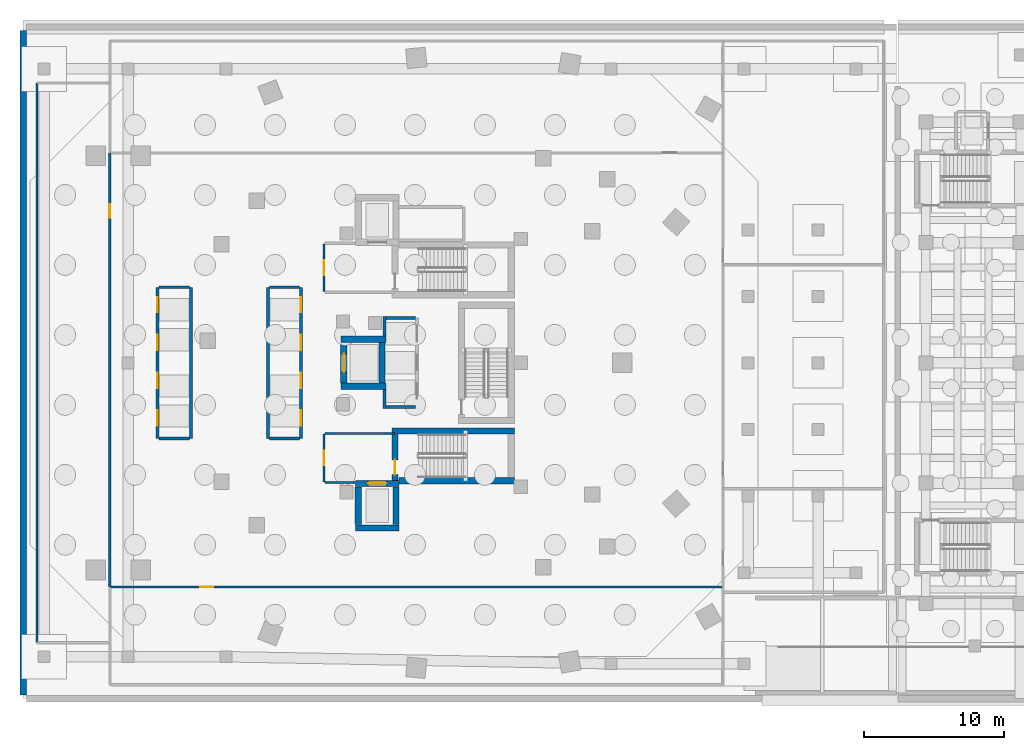
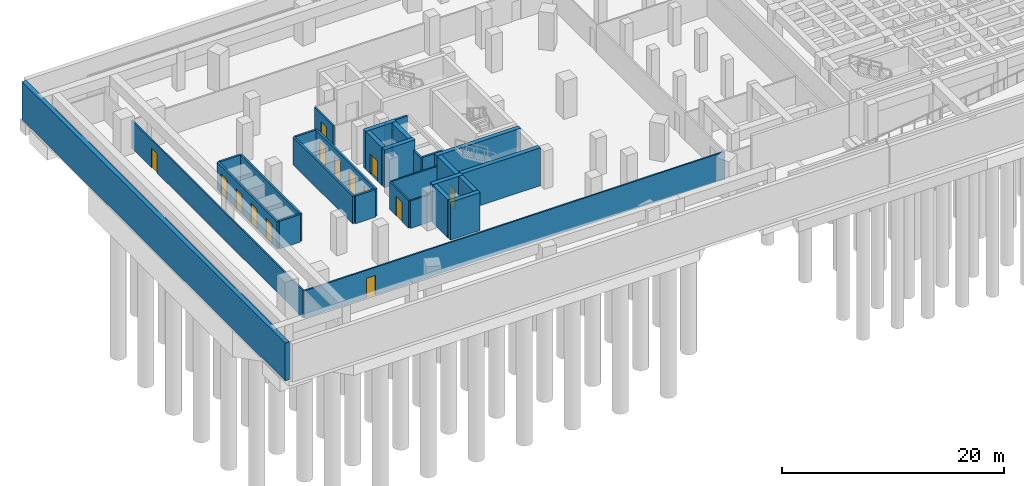
# One storey, part 8 of 15: 31 walls, 15 doors, 15 openings.
"""IFC4 building model written with IfcOpenShell, lengths in metres."""

from ifc_helpers import new_model, si_unit, direction, frame, frame_2d, origin, place, context, subcontext, project, spatial, rectangle, extrude, material, layer, layer_set, type_object, element, fill, save


model = new_model("IFC4")

# Units and contexts
model_context = context("Model", 3, precision=1e-05, world=origin(), true_north=direction((0.0, 1.0)))
body_context = subcontext(model_context, "Body", "Model", "MODEL_VIEW")
ifc_project = project(units=[si_unit("LENGTHUNIT", "METRE"), si_unit("AREAUNIT", "SQUARE_METRE"), si_unit("VOLUMEUNIT", "CUBIC_METRE"), si_unit("PLANEANGLEUNIT", "RADIAN"), si_unit("MASSUNIT", "GRAM", prefix="KILO")], contexts=[model_context])

# Site, building, storey
site_placement = place(None, origin())
site = spatial("IfcSite", under=ifc_project, at=site_placement, CompositionType="ELEMENT")
building_placement = place(site_placement, origin())
building = spatial("IfcBuilding", under=site, at=building_placement, Name="Korentha Bioscience Tower", CompositionType="ELEMENT")
storey_placement = place(building_placement, frame((0.0, 0.0, -9.0)))
storey = spatial("IfcBuildingStorey", under=building, at=storey_placement, Name="B2", CompositionType="ELEMENT", Elevation=-9.0)

# Wall, opening, door
ifc_material_1 = material(Name="Double-Stud Acoustic Gypsum", Category="gypsum")
ifc_layer_1 = layer(ifc_material_1, 0.14990234375, Name="Double-Stud Acoustic Gypsum")
ifc_layer_set_1 = layer_set([ifc_layer_1], Name="Double-Stud Acoustic Gypsum (IW-L150)")
wall_type_1 = type_object("IfcWallType", Name="Acoustic Laboratory Partition Wall 150", PredefinedType="PARTITIONING", material=ifc_layer_set_1)
wall_1_placement = place(storey_placement, frame((8.18994140625, 42.0, 0.0), z_axis=(0.0, 0.0, 1.0), x_axis=(0.0, -1.0, 0.0)))
wall_1 = element("IfcWall", 1, at=wall_1_placement, inside=storey, type_object=wall_type_1, Name="B2 B2 Electric Vehicle & Accessible Parking Aisle West Entrance Wall", PredefinedType="PARTITIONING", context=body_context, shape_type="SweptSolid", body=[
    extrude(rectangle(XDim=31.0, YDim=0.14990234375, at=frame_2d((15.5, 0.0))), origin(), (0.0, 0.0, 1.0), 3.0400390625),
])
opening_1_placement = place(wall_1_placement, frame((3.680908203125, 0.0, 0.0)))
opening_1 = element("IfcOpeningElement", 2, at=opening_1_placement, cuts=wall_1, Name="Opening ID-10L", PredefinedType="OPENING", context=body_context, shape_type="SweptSolid", body=[
    extrude(rectangle(XDim=0.949951171875, YDim=2.14990234375, at=frame_2d((0.47509765625, 1.074951171875))), frame((0.0, 0.08984375, 0.0), z_axis=(0.0, -1.0, 0.0), x_axis=(1.0, 0.0, 0.0)), (0.0, 0.0, 1.0), 0.1796875),
])
ifc_material_2 = material(Name="Phenolic Laminate Timber Core", Category="wood")
door_type_1 = type_object("IfcDoorType", Name="Laboratory Single Leaf Door 950x2150 Left", OperationType="SINGLE_SWING_LEFT", PredefinedType="DOOR", material=ifc_material_2)
door_1_placement = place(opening_1_placement, origin())
door_1 = element("IfcDoor", 3, at=door_1_placement, inside=storey, type_object=door_type_1, Name="B2 B2 Electric Vehicle & Accessible Parking Aisle West Door", OperationType="SINGLE_SWING_LEFT", OverallHeight=2.14990234375, OverallWidth=0.949951171875, PredefinedType="DOOR", context=body_context, shape_type="SweptSolid", body=[
    extrude(rectangle(XDim=0.949951171875, YDim=2.14990234375, at=frame_2d((0.47509765625, 1.074951171875))), frame((0.0, 0.02490234375, 0.0), z_axis=(0.0, -1.0, 0.0), x_axis=(1.0, 0.0, 0.0)), (0.0, 0.0, 1.0), 0.050048828125),
])
fill(opening_1, door_1)

wall_2_placement = place(storey_placement, frame((8.2099609375, 10.989990234375, 0.0), z_axis=(0.0, 0.0, 1.0), x_axis=(1.0, 0.0, 0.0)))
wall_2 = element("IfcWall", 4, at=wall_2_placement, inside=storey, type_object=wall_type_1, Name="B2 B2 Bioscience Fleet & Van Parking South Entrance Wall", PredefinedType="PARTITIONING", context=body_context, shape_type="SweptSolid", body=[
    extrude(rectangle(XDim=43.7900390625, YDim=0.14990234375, at=frame_2d((21.89501953125, 0.0))), origin(), (0.0, 0.0, 1.0), 3.0400390625),
])
opening_2_placement = place(wall_2_placement, frame((6.435302734375, 0.0, 0.0)))
opening_2 = element("IfcOpeningElement", 5, at=opening_2_placement, cuts=wall_2, Name="Opening ID-10L", PredefinedType="OPENING", context=body_context, shape_type="SweptSolid", body=[
    extrude(rectangle(XDim=0.949951171875, YDim=2.14990234375, at=frame_2d((0.47509765625, 1.074951171875))), frame((0.0, 0.08984375, 0.0), z_axis=(0.0, -1.0, 0.0), x_axis=(1.0, 0.0, 0.0)), (0.0, 0.0, 1.0), 0.1796875),
])
door_2_placement = place(opening_2_placement, origin())
door_2 = element("IfcDoor", 6, at=door_2_placement, inside=storey, type_object=door_type_1, Name="B2 B2 Bioscience Fleet & Van Parking South Door", OperationType="SINGLE_SWING_LEFT", OverallHeight=2.14990234375, OverallWidth=0.949951171875, PredefinedType="DOOR", context=body_context, shape_type="SweptSolid", body=[
    extrude(rectangle(XDim=0.949951171875, YDim=2.14990234375, at=frame_2d((0.47509765625, 1.074951171875))), frame((0.0, 0.02490234375, 0.0), z_axis=(0.0, -1.0, 0.0), x_axis=(1.0, 0.0, 0.0)), (0.0, 0.0, 1.0), 0.050048828125),
])
fill(opening_2, door_2)

# Walls
wall_3_placement = place(storey_placement, frame((3.0, 7.0, 0.0), z_axis=(0.0, 0.0, 1.0), x_axis=(0.0, 1.0, 0.0)))
element("IfcWall", 7, at=wall_3_placement, inside=storey, type_object=wall_type_1, Name="B2 Interior Partition 011", PredefinedType="PARTITIONING", context=body_context, shape_type="SweptSolid", body=[
    extrude(rectangle(XDim=40.0, YDim=0.14990234375, at=frame_2d((20.0, 0.0))), origin(), (0.0, 0.0, 1.0), 3.0400390625),
])
ifc_material_3 = material(Name="Concrete C50", Category="concrete")
ifc_layer_2 = layer(ifc_material_3, 0.449951171875, Name="Concrete C50")
ifc_layer_set_2 = layer_set([ifc_layer_2], Name="Concrete C50 (RW-01)")
wall_type_2 = type_object("IfcWallType", Name="Basement Perimeter Retaining Wall 450", PredefinedType="USERDEFINED", material=ifc_layer_set_2)
wall_4_placement = place(storey_placement, frame((2.0, 3.25, 0.0), z_axis=(0.0, 0.0, 1.0), x_axis=(0.0, 1.0, 0.0)))
element("IfcWall", 8, at=wall_4_placement, inside=storey, type_object=wall_type_2, Name="B2 Retaining Liner Wall W", ObjectType="RETAININGWALL", PredefinedType="USERDEFINED", context=body_context, shape_type="SweptSolid", body=[
    extrude(rectangle(XDim=47.5, YDim=0.449951171875, at=frame_2d((23.75, 0.0))), origin(), (0.0, 0.0, 1.0), 4.179931640625),
])

# Wall, opening, door
ifc_material_4 = material(Name="Gypsum-Clad Steel Stud", Category="steel")
ifc_layer_3 = layer(ifc_material_4, 0.159912109375, Name="Gypsum-Clad Steel Stud")
ifc_layer_set_3 = layer_set([ifc_layer_3], Name="Gypsum-Clad Steel Stud (IW-C160)")
wall_type_3 = type_object("IfcWallType", Name="Fire-Rated Corridor Partition Wall 160", PredefinedType="PARTITIONING", material=ifc_layer_set_3)
wall_5_placement = place(storey_placement, frame((23.5, 32.10009765625, 0.0), z_axis=(0.0, 0.0, 1.0), x_axis=(0.0, 1.0, 0.0)))
wall_5 = element("IfcWall", 9, at=wall_5_placement, inside=storey, type_object=wall_type_3, Name="B2 FFLN-CW Rated Enclosure Wall", PredefinedType="PARTITIONING", context=body_context, shape_type="SweptSolid", body=[
    extrude(rectangle(XDim=3.39990234375, YDim=0.159912109375, at=frame_2d((1.699951171875, 0.0))), origin(), (0.0, 0.0, 1.0), 3.0400390625),
])
opening_3_placement = place(wall_5_placement, frame((1.175048828125, 0.0, 0.0)))
opening_3 = element("IfcOpeningElement", 10, at=opening_3_placement, cuts=wall_5, Name="Opening FD-90L", PredefinedType="OPENING", context=body_context, shape_type="SweptSolid", body=[
    extrude(rectangle(XDim=1.050048828125, YDim=2.14990234375, at=frame_2d((0.52490234375, 1.074951171875))), frame((0.0, 0.0947265625, 0.0), z_axis=(0.0, -1.0, 0.0), x_axis=(1.0, 0.0, 0.0)), (0.0, 0.0, 1.0), 0.189697265625),
])
ifc_material_5 = material(Name="Powder-Coated Fire-Rated Steel", Category="steel")
door_type_2 = type_object("IfcDoorType", Name="Stairwell Fire Exit Door 1050x2150 Left", OperationType="SINGLE_SWING_LEFT", PredefinedType="DOOR", material=ifc_material_5)
door_3_placement = place(opening_3_placement, origin())
door_3 = element("IfcDoor", 11, at=door_3_placement, inside=storey, type_object=door_type_2, Name="B2 North Firefighting Lobby Door", OperationType="SINGLE_SWING_LEFT", OverallHeight=2.14990234375, OverallWidth=1.050048828125, PredefinedType="DOOR", context=body_context, shape_type="SweptSolid", body=[
    extrude(rectangle(XDim=1.050048828125, YDim=2.14990234375, at=frame_2d((0.52490234375, 1.074951171875))), frame((0.0, 0.02490234375, 0.0), z_axis=(0.0, -1.0, 0.0), x_axis=(1.0, 0.0, 0.0)), (0.0, 0.0, 1.0), 0.050048828125),
])
fill(opening_3, door_3)

wall_6_placement = place(storey_placement, frame((23.5, 18.5, 0.0), z_axis=(0.0, 0.0, 1.0), x_axis=(0.0, 1.0, 0.0)))
wall_6 = element("IfcWall", 12, at=wall_6_placement, inside=storey, type_object=wall_type_3, Name="B2 FFLS-CW Rated Enclosure Wall", PredefinedType="PARTITIONING", context=body_context, shape_type="SweptSolid", body=[
    extrude(rectangle(XDim=3.39990234375, YDim=0.159912109375, at=frame_2d((1.699951171875, 0.0))), origin(), (0.0, 0.0, 1.0), 3.0400390625),
])
opening_4_placement = place(wall_6_placement, frame((1.175048828125, 0.0, 0.0)))
opening_4 = element("IfcOpeningElement", 13, at=opening_4_placement, cuts=wall_6, Name="Opening FD-90L", PredefinedType="OPENING", context=body_context, shape_type="SweptSolid", body=[
    extrude(rectangle(XDim=1.050048828125, YDim=2.14990234375, at=frame_2d((0.52490234375, 1.074951171875))), frame((0.0, 0.0947265625, 0.0), z_axis=(0.0, -1.0, 0.0), x_axis=(1.0, 0.0, 0.0)), (0.0, 0.0, 1.0), 0.189697265625),
])
door_4_placement = place(opening_4_placement, origin())
door_4 = element("IfcDoor", 14, at=door_4_placement, inside=storey, type_object=door_type_2, Name="B2 South Firefighting Lobby Door", OperationType="SINGLE_SWING_LEFT", OverallHeight=2.14990234375, OverallWidth=1.050048828125, PredefinedType="DOOR", context=body_context, shape_type="SweptSolid", body=[
    extrude(rectangle(XDim=1.050048828125, YDim=2.14990234375, at=frame_2d((0.52490234375, 1.074951171875))), frame((0.0, 0.02490234375, 0.0), z_axis=(0.0, -1.0, 0.0), x_axis=(1.0, 0.0, 0.0)), (0.0, 0.0, 1.0), 0.050048828125),
])
fill(opening_4, door_4)

# Walls
wall_7_placement = place(storey_placement, frame((23.580078125, 21.949951171875, 0.0), z_axis=(0.0, 0.0, 1.0), x_axis=(1.0, 0.0, 0.0)))
element("IfcWall", 15, at=wall_7_placement, inside=storey, type_object=wall_type_3, Name="B2 Firefighting Lobby Return Wall FFLS-N", PredefinedType="PARTITIONING", context=body_context, shape_type="SweptSolid", body=[
    extrude(rectangle(XDim=4.969970703125, YDim=0.159912109375, at=frame_2d((2.48486328125, 0.0))), origin(), (0.0, 0.0, 1.0), 3.0400390625),
])
wall_8_placement = place(storey_placement, frame((23.580078125, 18.449951171875, 0.0), z_axis=(0.0, 0.0, 1.0), x_axis=(1.0, 0.0, 0.0)))
element("IfcWall", 16, at=wall_8_placement, inside=storey, type_object=wall_type_3, Name="B2 Firefighting Lobby Return Wall FFLS-S", PredefinedType="PARTITIONING", context=body_context, shape_type="SweptSolid", body=[
    extrude(rectangle(XDim=2.119873046875, YDim=0.159912109375, at=frame_2d((1.06005859375, 0.0))), origin(), (0.0, 0.0, 1.0), 3.0400390625),
])

# Wall, openings, doors
ifc_material_6 = material(Name="Autoclaved Aerated Concrete Block C25", Category="concrete")
ifc_layer_4 = layer(ifc_material_6, 0.199951171875, Name="Autoclaved Aerated Concrete Block C25")
ifc_layer_set_4 = layer_set([ifc_layer_4], Name="Autoclaved Aerated Concrete Block C25 (IW-S200)")
wall_type_4 = type_object("IfcWallType", Name="Lift and Riser Shaft Enclosure Wall 200", PredefinedType="PARTITIONING", material=ifc_layer_set_4)
wall_9_placement = place(storey_placement, frame((11.60009765625, 21.60009765625, 0.0), z_axis=(0.0, 0.0, 1.0), x_axis=(0.0, 1.0, 0.0)))
wall_9 = element("IfcWall", 17, at=wall_9_placement, inside=storey, type_object=wall_type_4, Name="B2 Lift Bank LOW Shaft Wall -X", PredefinedType="PARTITIONING", context=body_context, shape_type="SweptSolid", body=[
    extrude(rectangle(XDim=10.7998046875, YDim=0.199951171875, at=frame_2d((5.39990234375, 0.0))), origin(), (0.0, 0.0, 1.0), 3.0400390625),
])
opening_5_placement = place(wall_9_placement, frame((0.89990234375, 0.0, 0.0)))
opening_5 = element("IfcOpeningElement", 18, at=opening_5_placement, cuts=wall_9, Name="Opening LD-11", PredefinedType="OPENING", context=body_context, shape_type="SweptSolid", body=[
    extrude(rectangle(XDim=1.10009765625, YDim=2.199951171875, at=frame_2d((0.550048828125, 1.10009765625))), frame((0.0, 0.11474609375, 0.0), z_axis=(0.0, -1.0, 0.0), x_axis=(1.0, 0.0, 0.0)), (0.0, 0.0, 1.0), 0.229736328125),
])
opening_6_placement = place(wall_9_placement, frame((3.60009765625, 0.0, 0.0)))
opening_6 = element("IfcOpeningElement", 19, at=opening_6_placement, cuts=wall_9, Name="Opening LD-11", PredefinedType="OPENING", context=body_context, shape_type="SweptSolid", body=[
    extrude(rectangle(XDim=1.10009765625, YDim=2.199951171875, at=frame_2d((0.550048828125, 1.10009765625))), frame((0.0, 0.11474609375, 0.0), z_axis=(0.0, -1.0, 0.0), x_axis=(1.0, 0.0, 0.0)), (0.0, 0.0, 1.0), 0.229736328125),
])
opening_7_placement = place(wall_9_placement, frame((6.300048828125, 0.0, 0.0)))
opening_7 = element("IfcOpeningElement", 20, at=opening_7_placement, cuts=wall_9, Name="Opening LD-11", PredefinedType="OPENING", context=body_context, shape_type="SweptSolid", body=[
    extrude(rectangle(XDim=1.10009765625, YDim=2.199951171875, at=frame_2d((0.550048828125, 1.10009765625))), frame((0.0, 0.11474609375, 0.0), z_axis=(0.0, -1.0, 0.0), x_axis=(1.0, 0.0, 0.0)), (0.0, 0.0, 1.0), 0.229736328125),
])
opening_8_placement = place(wall_9_placement, frame((9.0, 0.0, 0.0)))
opening_8 = element("IfcOpeningElement", 21, at=opening_8_placement, cuts=wall_9, Name="Opening LD-11", PredefinedType="OPENING", context=body_context, shape_type="SweptSolid", body=[
    extrude(rectangle(XDim=1.10009765625, YDim=2.199951171875, at=frame_2d((0.550048828125, 1.10009765625))), frame((0.0, 0.11474609375, 0.0), z_axis=(0.0, -1.0, 0.0), x_axis=(1.0, 0.0, 0.0)), (0.0, 0.0, 1.0), 0.229736328125),
])
ifc_material_7 = material(Name="Brushed Stainless Steel 304", Category="steel")
door_type_3 = type_object("IfcDoorType", Name="Passenger Lift Sliding Landing Door 1100x2200", OperationType="DOUBLE_DOOR_SLIDING", PredefinedType="DOOR", material=ifc_material_7)
door_5_placement = place(opening_5_placement, origin())
door_5 = element("IfcDoor", 22, at=door_5_placement, inside=storey, type_object=door_type_3, Name="B2 PL-L1 Sliding Lift Landing Door", OperationType="DOUBLE_DOOR_SLIDING", OverallHeight=2.199951171875, OverallWidth=1.10009765625, PredefinedType="DOOR", context=body_context, shape_type="SweptSolid", body=[
    extrude(rectangle(XDim=1.10009765625, YDim=2.199951171875, at=frame_2d((0.550048828125, 1.10009765625))), frame((0.0, 0.02490234375, 0.0), z_axis=(0.0, -1.0, 0.0), x_axis=(1.0, 0.0, 0.0)), (0.0, 0.0, 1.0), 0.050048828125),
])
fill(opening_5, door_5)
door_6_placement = place(opening_6_placement, origin())
door_6 = element("IfcDoor", 23, at=door_6_placement, inside=storey, type_object=door_type_3, Name="B2 PL-L2 Sliding Lift Landing Door", OperationType="DOUBLE_DOOR_SLIDING", OverallHeight=2.199951171875, OverallWidth=1.10009765625, PredefinedType="DOOR", context=body_context, shape_type="SweptSolid", body=[
    extrude(rectangle(XDim=1.10009765625, YDim=2.199951171875, at=frame_2d((0.550048828125, 1.10009765625))), frame((0.0, 0.02490234375, 0.0), z_axis=(0.0, -1.0, 0.0), x_axis=(1.0, 0.0, 0.0)), (0.0, 0.0, 1.0), 0.050048828125),
])
fill(opening_6, door_6)
door_7_placement = place(opening_7_placement, origin())
door_7 = element("IfcDoor", 24, at=door_7_placement, inside=storey, type_object=door_type_3, Name="B2 PL-L3 Sliding Lift Landing Door", OperationType="DOUBLE_DOOR_SLIDING", OverallHeight=2.199951171875, OverallWidth=1.10009765625, PredefinedType="DOOR", context=body_context, shape_type="SweptSolid", body=[
    extrude(rectangle(XDim=1.10009765625, YDim=2.199951171875, at=frame_2d((0.550048828125, 1.10009765625))), frame((0.0, 0.02490234375, 0.0), z_axis=(0.0, -1.0, 0.0), x_axis=(1.0, 0.0, 0.0)), (0.0, 0.0, 1.0), 0.050048828125),
])
fill(opening_7, door_7)
door_8_placement = place(opening_8_placement, origin())
door_8 = element("IfcDoor", 25, at=door_8_placement, inside=storey, type_object=door_type_3, Name="B2 PL-L4 Sliding Lift Landing Door", OperationType="DOUBLE_DOOR_SLIDING", OverallHeight=2.199951171875, OverallWidth=1.10009765625, PredefinedType="DOOR", context=body_context, shape_type="SweptSolid", body=[
    extrude(rectangle(XDim=1.10009765625, YDim=2.199951171875, at=frame_2d((0.550048828125, 1.10009765625))), frame((0.0, 0.02490234375, 0.0), z_axis=(0.0, -1.0, 0.0), x_axis=(1.0, 0.0, 0.0)), (0.0, 0.0, 1.0), 0.050048828125),
])
fill(opening_8, door_8)

# Walls
wall_10_placement = place(storey_placement, frame((14.0, 21.60009765625, 0.0), z_axis=(0.0, 0.0, 1.0), x_axis=(0.0, 1.0, 0.0)))
element("IfcWall", 26, at=wall_10_placement, inside=storey, type_object=wall_type_4, Name="B2 Lift Bank LOW Shaft Wall +X", PredefinedType="PARTITIONING", context=body_context, shape_type="SweptSolid", body=[
    extrude(rectangle(XDim=10.7998046875, YDim=0.199951171875, at=frame_2d((5.39990234375, 0.0))), origin(), (0.0, 0.0, 1.0), 3.0400390625),
])
for number, where, z_axis, x_axis, name in (
    (27, (11.719970703125, 21.60009765625, 0.0), (0.0, 0.0, 1.0), (1.0, 0.0, 0.0), "B2 Lift Bank LOW Shaft Wall -Y"),
    (28, (11.719970703125, 32.39990234375, 0.0), (0.0, 0.0, 1.0), (1.0, 0.0, 0.0), "B2 Lift Bank LOW Shaft Wall +Y"),
):
    element("IfcWall", number, at=place(storey_placement, frame(where, z_axis=z_axis, x_axis=x_axis)), inside=storey, type_object=wall_type_4, Name=name, PredefinedType="PARTITIONING", context=body_context, shape_type="SweptSolid", body=[
        extrude(rectangle(XDim=2.159912109375, YDim=0.199951171875, at=frame_2d((1.080078125, 0.0))), origin(), (0.0, 0.0, 1.0), 3.0400390625),
    ])
wall_11_placement = place(storey_placement, frame((19.5, 21.60009765625, 0.0), z_axis=(0.0, 0.0, 1.0), x_axis=(0.0, 1.0, 0.0)))
element("IfcWall", 29, at=wall_11_placement, inside=storey, type_object=wall_type_4, Name="B2 Lift Bank MID Shaft Wall -X", PredefinedType="PARTITIONING", context=body_context, shape_type="SweptSolid", body=[
    extrude(rectangle(XDim=10.7998046875, YDim=0.199951171875, at=frame_2d((5.39990234375, 0.0))), origin(), (0.0, 0.0, 1.0), 3.0400390625),
])

# Wall, openings, doors
wall_12_placement = place(storey_placement, frame((21.85009765625, 21.60009765625, 0.0), z_axis=(0.0, 0.0, 1.0), x_axis=(0.0, 1.0, 0.0)))
wall_12 = element("IfcWall", 30, at=wall_12_placement, inside=storey, type_object=wall_type_4, Name="B2 Lift Bank MID Shaft Wall +X", PredefinedType="PARTITIONING", context=body_context, shape_type="SweptSolid", body=[
    extrude(rectangle(XDim=10.7998046875, YDim=0.199951171875, at=frame_2d((5.39990234375, 0.0))), origin(), (0.0, 0.0, 1.0), 3.0400390625),
])
opening_9_placement = place(wall_12_placement, frame((0.89990234375, 0.0, 0.0)))
opening_9 = element("IfcOpeningElement", 31, at=opening_9_placement, cuts=wall_12, Name="Opening LD-11", PredefinedType="OPENING", context=body_context, shape_type="SweptSolid", body=[
    extrude(rectangle(XDim=1.10009765625, YDim=2.199951171875, at=frame_2d((0.550048828125, 1.10009765625))), frame((0.0, 0.11474609375, 0.0), z_axis=(0.0, -1.0, 0.0), x_axis=(1.0, 0.0, 0.0)), (0.0, 0.0, 1.0), 0.229736328125),
])
opening_10_placement = place(wall_12_placement, frame((3.60009765625, 0.0, 0.0)))
opening_10 = element("IfcOpeningElement", 32, at=opening_10_placement, cuts=wall_12, Name="Opening LD-11", PredefinedType="OPENING", context=body_context, shape_type="SweptSolid", body=[
    extrude(rectangle(XDim=1.10009765625, YDim=2.199951171875, at=frame_2d((0.550048828125, 1.10009765625))), frame((0.0, 0.11474609375, 0.0), z_axis=(0.0, -1.0, 0.0), x_axis=(1.0, 0.0, 0.0)), (0.0, 0.0, 1.0), 0.229736328125),
])
opening_11_placement = place(wall_12_placement, frame((6.300048828125, 0.0, 0.0)))
opening_11 = element("IfcOpeningElement", 33, at=opening_11_placement, cuts=wall_12, Name="Opening LD-11", PredefinedType="OPENING", context=body_context, shape_type="SweptSolid", body=[
    extrude(rectangle(XDim=1.10009765625, YDim=2.199951171875, at=frame_2d((0.550048828125, 1.10009765625))), frame((0.0, 0.11474609375, 0.0), z_axis=(0.0, -1.0, 0.0), x_axis=(1.0, 0.0, 0.0)), (0.0, 0.0, 1.0), 0.229736328125),
])
opening_12_placement = place(wall_12_placement, frame((9.0, 0.0, 0.0)))
opening_12 = element("IfcOpeningElement", 34, at=opening_12_placement, cuts=wall_12, Name="Opening LD-11", PredefinedType="OPENING", context=body_context, shape_type="SweptSolid", body=[
    extrude(rectangle(XDim=1.10009765625, YDim=2.199951171875, at=frame_2d((0.550048828125, 1.10009765625))), frame((0.0, 0.11474609375, 0.0), z_axis=(0.0, -1.0, 0.0), x_axis=(1.0, 0.0, 0.0)), (0.0, 0.0, 1.0), 0.229736328125),
])
door_9_placement = place(opening_9_placement, origin())
door_9 = element("IfcDoor", 35, at=door_9_placement, inside=storey, type_object=door_type_3, Name="B2 PL-M1 Sliding Lift Landing Door", OperationType="DOUBLE_DOOR_SLIDING", OverallHeight=2.199951171875, OverallWidth=1.10009765625, PredefinedType="DOOR", context=body_context, shape_type="SweptSolid", body=[
    extrude(rectangle(XDim=1.10009765625, YDim=2.199951171875, at=frame_2d((0.550048828125, 1.10009765625))), frame((0.0, 0.02490234375, 0.0), z_axis=(0.0, -1.0, 0.0), x_axis=(1.0, 0.0, 0.0)), (0.0, 0.0, 1.0), 0.050048828125),
])
fill(opening_9, door_9)
door_10_placement = place(opening_10_placement, origin())
door_10 = element("IfcDoor", 36, at=door_10_placement, inside=storey, type_object=door_type_3, Name="B2 PL-M2 Sliding Lift Landing Door", OperationType="DOUBLE_DOOR_SLIDING", OverallHeight=2.199951171875, OverallWidth=1.10009765625, PredefinedType="DOOR", context=body_context, shape_type="SweptSolid", body=[
    extrude(rectangle(XDim=1.10009765625, YDim=2.199951171875, at=frame_2d((0.550048828125, 1.10009765625))), frame((0.0, 0.02490234375, 0.0), z_axis=(0.0, -1.0, 0.0), x_axis=(1.0, 0.0, 0.0)), (0.0, 0.0, 1.0), 0.050048828125),
])
fill(opening_10, door_10)
door_11_placement = place(opening_11_placement, origin())
door_11 = element("IfcDoor", 37, at=door_11_placement, inside=storey, type_object=door_type_3, Name="B2 PL-M3 Sliding Lift Landing Door", OperationType="DOUBLE_DOOR_SLIDING", OverallHeight=2.199951171875, OverallWidth=1.10009765625, PredefinedType="DOOR", context=body_context, shape_type="SweptSolid", body=[
    extrude(rectangle(XDim=1.10009765625, YDim=2.199951171875, at=frame_2d((0.550048828125, 1.10009765625))), frame((0.0, 0.02490234375, 0.0), z_axis=(0.0, -1.0, 0.0), x_axis=(1.0, 0.0, 0.0)), (0.0, 0.0, 1.0), 0.050048828125),
])
fill(opening_11, door_11)
door_12_placement = place(opening_12_placement, origin())
door_12 = element("IfcDoor", 38, at=door_12_placement, inside=storey, type_object=door_type_3, Name="B2 PL-M4 Sliding Lift Landing Door", OperationType="DOUBLE_DOOR_SLIDING", OverallHeight=2.199951171875, OverallWidth=1.10009765625, PredefinedType="DOOR", context=body_context, shape_type="SweptSolid", body=[
    extrude(rectangle(XDim=1.10009765625, YDim=2.199951171875, at=frame_2d((0.550048828125, 1.10009765625))), frame((0.0, 0.02490234375, 0.0), z_axis=(0.0, -1.0, 0.0), x_axis=(1.0, 0.0, 0.0)), (0.0, 0.0, 1.0), 0.050048828125),
])
fill(opening_12, door_12)

# Walls
for number, where, z_axis, x_axis, name in (
    (39, (19.6201171875, 21.60009765625, 0.0), (0.0, 0.0, 1.0), (1.0, 0.0, 0.0), "B2 Lift Bank MID Shaft Wall -Y"),
    (40, (19.6201171875, 32.39990234375, 0.0), (0.0, 0.0, 1.0), (1.0, 0.0, 0.0), "B2 Lift Bank MID Shaft Wall +Y"),
):
    element("IfcWall", number, at=place(storey_placement, frame(where, z_axis=z_axis, x_axis=x_axis)), inside=storey, type_object=wall_type_4, Name=name, PredefinedType="PARTITIONING", context=body_context, shape_type="SweptSolid", body=[
        extrude(rectangle(XDim=2.10986328125, YDim=0.199951171875, at=frame_2d((1.054931640625, 0.0))), origin(), (0.0, 0.0, 1.0), 3.0400390625),
    ])
wall_13_placement = place(storey_placement, frame((27.830078125, 23.75, 0.0), z_axis=(0.0, 0.0, 1.0), x_axis=(0.0, 1.0, 0.0)))
element("IfcWall", 41, at=wall_13_placement, inside=storey, type_object=wall_type_4, Name="B2 Lift Bank HIGH Shaft Wall -XS", PredefinedType="PARTITIONING", context=body_context, shape_type="SweptSolid", body=[
    extrude(rectangle(XDim=1.341064453125, YDim=0.199951171875, at=frame_2d((0.67041015625, 0.0))), origin(), (0.0, 0.0, 1.0), 3.0400390625),
])
wall_14_placement = place(storey_placement, frame((27.830078125, 28.908935546875, 0.0), z_axis=(0.0, 0.0, 1.0), x_axis=(0.0, 1.0, 0.0)))
element("IfcWall", 42, at=wall_14_placement, inside=storey, type_object=wall_type_4, Name="B2 Lift Bank HIGH Shaft Wall -XN", PredefinedType="PARTITIONING", context=body_context, shape_type="SweptSolid", body=[
    extrude(rectangle(XDim=1.39111328125, YDim=0.199951171875, at=frame_2d((0.695556640625, 0.0))), origin(), (0.0, 0.0, 1.0), 3.0400390625),
])
for number, where, z_axis, x_axis, name in (
    (43, (27.93408203125, 23.85009765625, 0.0), (0.0, 0.0, 1.0), (1.0, 0.0, 0.0), "B2 Lift Bank HIGH Shaft Wall -Y"),
    (44, (27.93408203125, 30.199951171875, 0.0), (0.0, 0.0, 1.0), (1.0, 0.0, 0.0), "B2 Lift Bank HIGH Shaft Wall +Y"),
):
    element("IfcWall", number, at=place(storey_placement, frame(where, z_axis=z_axis, x_axis=x_axis)), inside=storey, type_object=wall_type_4, Name=name, PredefinedType="PARTITIONING", context=body_context, shape_type="SweptSolid", body=[
        extrude(rectangle(XDim=2.095947265625, YDim=0.199951171875, at=frame_2d((1.0478515625, 0.0))), origin(), (0.0, 0.0, 1.0), 3.0400390625),
    ])
ifc_material_8 = material(Name="Concrete C80", Category="concrete")
ifc_layer_5 = layer(ifc_material_8, 0.449951171875, Name="Concrete C80")
ifc_layer_set_5 = layer_set([ifc_layer_5], Name="Concrete C80 (CW-C80)")
wall_type_5 = type_object("IfcWallType", Name="Lower Core Shear Wall 450", PredefinedType="SHEAR", material=ifc_layer_set_5)
wall_15_placement = place(storey_placement, frame((28.85205078125, 18.574951171875, 0.0), z_axis=(0.0, 0.0, 1.0), x_axis=(1.0, 0.0, 0.0)))
element("IfcWall", 45, at=wall_15_placement, inside=storey, type_object=wall_type_5, Name="B2 Core Shear Wall ST2-S", PredefinedType="SHEAR", context=body_context, shape_type="SweptSolid", body=[
    extrude(rectangle(XDim=8.248046875, YDim=0.449951171875, at=frame_2d((4.1240234375, 0.0))), origin(), (0.0, 0.0, 1.0), 4.179931640625),
])
wall_16_placement = place(storey_placement, frame((28.35009765625, 22.125, 0.0), z_axis=(0.0, 0.0, 1.0), x_axis=(1.0, 0.0, 0.0)))
element("IfcWall", 46, at=wall_16_placement, inside=storey, type_object=wall_type_5, Name="B2 Core Shear Wall ST2-N", PredefinedType="SHEAR", context=body_context, shape_type="SweptSolid", body=[
    extrude(rectangle(XDim=8.75, YDim=0.449951171875, at=frame_2d((4.375, 0.0))), origin(), (0.0, 0.0, 1.0), 4.179931640625),
])

# Wall, opening, door
wall_17_placement = place(storey_placement, frame((28.574951171875, 18.60693359375, 0.0), z_axis=(0.0, 0.0, 1.0), x_axis=(0.0, 1.0, 0.0)))
wall_17 = element("IfcWall", 47, at=wall_17_placement, inside=storey, type_object=wall_type_5, Name="B2 Core Shear Wall ST2-W", PredefinedType="SHEAR", context=body_context, shape_type="SweptSolid", body=[
    extrude(rectangle(XDim=3.282958984375, YDim=0.449951171875, at=frame_2d((1.6416015625, 0.0))), origin(), (0.0, 0.0, 1.0), 4.179931640625),
])
opening_13_placement = place(wall_17_placement, frame((0.403076171875, 0.0, 0.0)))
opening_13 = element("IfcOpeningElement", 48, at=opening_13_placement, cuts=wall_17, Name="Opening FD-90L", PredefinedType="OPENING", context=body_context, shape_type="SweptSolid", body=[
    extrude(rectangle(XDim=1.050048828125, YDim=2.14990234375, at=frame_2d((0.52490234375, 1.074951171875))), frame((0.0, 0.23974609375, 0.0), z_axis=(0.0, -1.0, 0.0), x_axis=(1.0, 0.0, 0.0)), (0.0, 0.0, 1.0), 0.479736328125),
])
door_13_placement = place(opening_13_placement, origin())
door_13 = element("IfcDoor", 49, at=door_13_placement, inside=storey, type_object=door_type_2, Name="B2 ST-2 Fire Exit Stair Door", OperationType="SINGLE_SWING_LEFT", OverallHeight=2.14990234375, OverallWidth=1.050048828125, PredefinedType="DOOR", context=body_context, shape_type="SweptSolid", body=[
    extrude(rectangle(XDim=1.050048828125, YDim=2.14990234375, at=frame_2d((0.52490234375, 1.074951171875))), frame((0.0, 0.02490234375, 0.0), z_axis=(0.0, -1.0, 0.0), x_axis=(1.0, 0.0, 0.0)), (0.0, 0.0, 1.0), 0.050048828125),
])
fill(opening_13, door_13)

# Wall
wall_18_placement = place(storey_placement, frame((25.75, 15.199951171875, 0.0), z_axis=(0.0, 0.0, 1.0), x_axis=(1.0, 0.0, 0.0)))
element("IfcWall", 50, at=wall_18_placement, inside=storey, type_object=wall_type_5, Name="B2 Core Shear Wall FFL1-S", PredefinedType="SHEAR", context=body_context, shape_type="SweptSolid", body=[
    extrude(rectangle(XDim=3.10009765625, YDim=0.449951171875, at=frame_2d((1.550048828125, 0.0))), origin(), (0.0, 0.0, 1.0), 4.179931640625),
])

# Wall, opening, door
wall_19_placement = place(storey_placement, frame((25.75, 18.3798828125, 0.0), z_axis=(0.0, 0.0, 1.0), x_axis=(1.0, 0.0, 0.0)))
wall_19 = element("IfcWall", 51, at=wall_19_placement, inside=storey, type_object=wall_type_5, Name="B2 Core Shear Wall FFL1-N", PredefinedType="SHEAR", context=body_context, shape_type="SweptSolid", body=[
    extrude(rectangle(XDim=3.10009765625, YDim=0.449951171875, at=frame_2d((1.550048828125, 0.0))), origin(), (0.0, 0.0, 1.0), 4.179931640625),
])
opening_14_placement = place(wall_19_placement, frame((0.89990234375, 0.0, 0.0)))
opening_14 = element("IfcOpeningElement", 52, at=opening_14_placement, cuts=wall_19, Name="Opening LD-13", PredefinedType="OPENING", context=body_context, shape_type="SweptSolid", body=[
    extrude(rectangle(XDim=1.300048828125, YDim=2.199951171875, at=frame_2d((0.64990234375, 1.10009765625))), frame((0.0, 0.23974609375, 0.0), z_axis=(0.0, -1.0, 0.0), x_axis=(1.0, 0.0, 0.0)), (0.0, 0.0, 1.0), 0.479736328125),
])
ifc_material_9 = material(Name="Brushed Stainless Steel 316", Category="steel")
door_type_4 = type_object("IfcDoorType", Name="Service & Firefighting Lift Landing Door 1300x2300", OperationType="DOUBLE_DOOR_SLIDING", PredefinedType="DOOR", material=ifc_material_9)
door_14_placement = place(opening_14_placement, origin())
door_14 = element("IfcDoor", 53, at=door_14_placement, inside=storey, type_object=door_type_4, Name="B2 FFL-1 Sliding Lift Landing Door", OperationType="DOUBLE_DOOR_SLIDING", OverallHeight=2.199951171875, OverallWidth=1.300048828125, PredefinedType="DOOR", context=body_context, shape_type="SweptSolid", body=[
    extrude(rectangle(XDim=1.300048828125, YDim=2.199951171875, at=frame_2d((0.64990234375, 1.10009765625))), frame((0.0, 0.02490234375, 0.0), z_axis=(0.0, -1.0, 0.0), x_axis=(1.0, 0.0, 0.0)), (0.0, 0.0, 1.0), 0.050048828125),
])
fill(opening_14, door_14)

# Walls
for number, where, z_axis, x_axis, name in (
    (54, (25.949951171875, 15.43994140625, 0.0), (0.0, 0.0, 1.0), (0.0, 1.0, 0.0), "B2 Core Shear Wall FFL1-W"),
    (55, (28.64990234375, 15.43994140625, 0.0), (0.0, 0.0, 1.0), (0.0, 1.0, 0.0), "B2 Core Shear Wall FFL1-E"),
):
    element("IfcWall", number, at=place(storey_placement, frame(where, z_axis=z_axis, x_axis=x_axis)), inside=storey, type_object=wall_type_5, Name=name, PredefinedType="SHEAR", context=body_context, shape_type="SweptSolid", body=[
        extrude(rectangle(XDim=2.699951171875, YDim=0.449951171875, at=frame_2d((1.35009765625, 0.0))), origin(), (0.0, 0.0, 1.0), 4.179931640625),
    ])
for number, where, z_axis, x_axis, name in (
    (56, (24.719970703125, 28.679931640625, 0.0), (0.0, 0.0, 1.0), (1.0, 0.0, 0.0), "B2 Core Shear Wall SVL1-N"),
    (57, (24.719970703125, 25.320068359375, 0.0), (0.0, 0.0, 1.0), (1.0, 0.0, 0.0), "B2 Core Shear Wall SVL1-S"),
):
    element("IfcWall", number, at=place(storey_placement, frame(where, z_axis=z_axis, x_axis=x_axis)), inside=storey, type_object=wall_type_5, Name=name, PredefinedType="SHEAR", context=body_context, shape_type="SweptSolid", body=[
        extrude(rectangle(XDim=3.2099609375, YDim=0.449951171875, at=frame_2d((1.60498046875, 0.0))), origin(), (0.0, 0.0, 1.0), 4.179931640625),
    ])

# Wall, opening, door
wall_20_placement = place(storey_placement, frame((24.919921875, 25.547119140625, 0.0), z_axis=(0.0, 0.0, 1.0), x_axis=(0.0, 1.0, 0.0)))
wall_20 = element("IfcWall", 58, at=wall_20_placement, inside=storey, type_object=wall_type_5, Name="B2 Core Shear Wall SVL1-W", PredefinedType="SHEAR", context=body_context, shape_type="SweptSolid", body=[
    extrude(rectangle(XDim=2.90576171875, YDim=0.449951171875, at=frame_2d((1.452880859375, 0.0))), origin(), (0.0, 0.0, 1.0), 4.179931640625),
])
opening_15_placement = place(wall_20_placement, frame((0.7900390625, 0.0, 0.0)))
opening_15 = element("IfcOpeningElement", 59, at=opening_15_placement, cuts=wall_20, Name="Opening LD-13", PredefinedType="OPENING", context=body_context, shape_type="SweptSolid", body=[
    extrude(rectangle(XDim=1.300048828125, YDim=2.199951171875, at=frame_2d((0.64990234375, 1.10009765625))), frame((0.0, 0.23974609375, 0.0), z_axis=(0.0, -1.0, 0.0), x_axis=(1.0, 0.0, 0.0)), (0.0, 0.0, 1.0), 0.479736328125),
])
door_15_placement = place(opening_15_placement, origin())
door_15 = element("IfcDoor", 60, at=door_15_placement, inside=storey, type_object=door_type_4, Name="B2 SVL-1 Sliding Lift Landing Door", OperationType="DOUBLE_DOOR_SLIDING", OverallHeight=2.199951171875, OverallWidth=1.300048828125, PredefinedType="DOOR", context=body_context, shape_type="SweptSolid", body=[
    extrude(rectangle(XDim=1.300048828125, YDim=2.199951171875, at=frame_2d((0.64990234375, 1.10009765625))), frame((0.0, 0.02490234375, 0.0), z_axis=(0.0, -1.0, 0.0), x_axis=(1.0, 0.0, 0.0)), (0.0, 0.0, 1.0), 0.050048828125),
])
fill(opening_15, door_15)

# Wall
wall_21_placement = place(storey_placement, frame((27.64990234375, 25.547119140625, 0.0), z_axis=(0.0, 0.0, 1.0), x_axis=(0.0, 1.0, 0.0)))
element("IfcWall", 61, at=wall_21_placement, inside=storey, type_object=wall_type_5, Name="B2 Core Shear Wall SVL1-E", PredefinedType="SHEAR", context=body_context, shape_type="SweptSolid", body=[
    extrude(rectangle(XDim=2.90576171875, YDim=0.449951171875, at=frame_2d((1.452880859375, 0.0))), origin(), (0.0, 0.0, 1.0), 4.179931640625),
])

save(model, "model.ifc")
